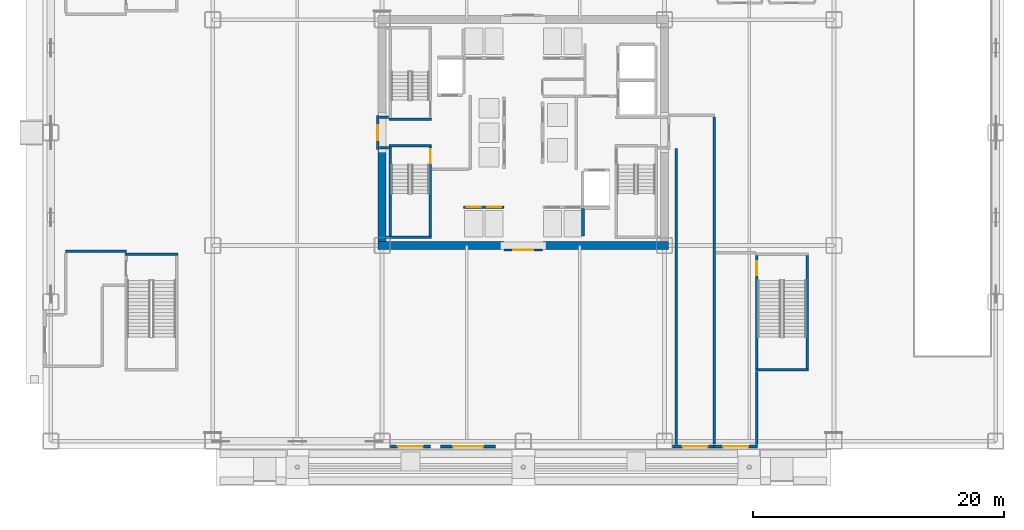
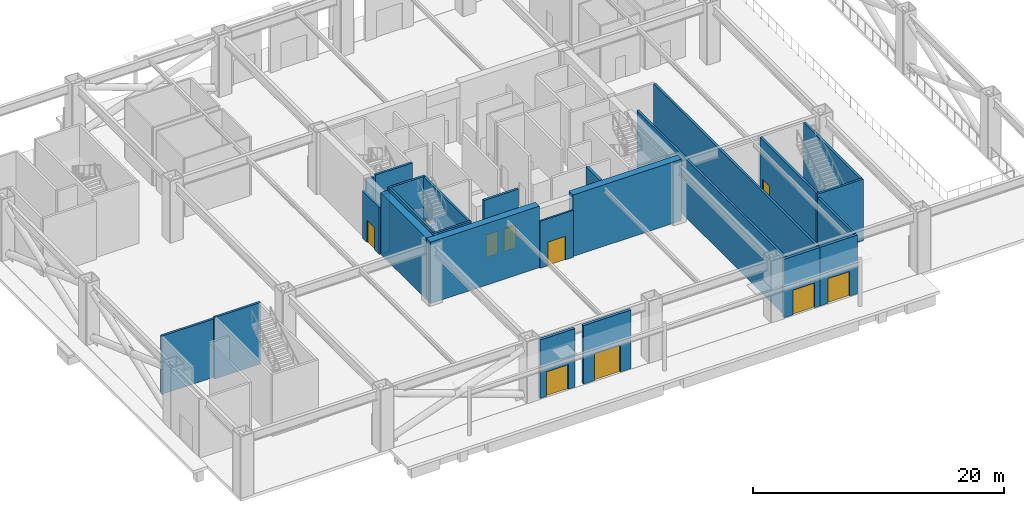
# One storey, part 8 of 17: 26 walls, 10 doors, 10 openings.
"""IFC4 building model written with IfcOpenShell, lengths in metres."""

from ifc_helpers import new_model, si_unit, direction, frame, frame_2d, origin, place, context, subcontext, project, spatial, rectangle, extrude, source, transform, mapped, material, layer, layer_set, type_object, element, fill, save


model = new_model("IFC4")

# Units and contexts
model_context = context("Model", 3, precision=1e-05, world=origin(), true_north=direction((0.0, 1.0)))
body_context = subcontext(model_context, "Body", "Model", "MODEL_VIEW")
ifc_project = project(units=[si_unit("LENGTHUNIT", "METRE"), si_unit("AREAUNIT", "SQUARE_METRE"), si_unit("VOLUMEUNIT", "CUBIC_METRE"), si_unit("PLANEANGLEUNIT", "RADIAN"), si_unit("MASSUNIT", "GRAM", prefix="KILO")], contexts=[model_context])

# Site, building, storey
site_placement = place(None, origin())
site = spatial("IfcSite", under=ifc_project, at=site_placement, CompositionType="ELEMENT")
building_placement = place(site_placement, origin())
building = spatial("IfcBuilding", under=site, at=building_placement, Name="Nefas-Gora Pilgrimage Tower", CompositionType="ELEMENT")
storey_placement = place(building_placement, origin())
storey = spatial("IfcBuildingStorey", under=building, at=storey_placement, Name="L00", CompositionType="ELEMENT", Elevation=0.0)

# Walls
ifc_material_1 = material(Name="Concrete C60/75", Category="concrete")
ifc_layer_1 = layer(ifc_material_1, 0.64990234375)
ifc_layer_set_1 = layer_set([ifc_layer_1], Name="Concrete C60/75")
wall_type_1 = type_object("IfcWallType", Name="SW-CORE-650", PredefinedType="SHEAR", material=ifc_layer_set_1)
shared_shape_1 = source(origin(), body_context, "Body", "SweptSolid", [
    extrude(rectangle(XDim=10.02490234375, YDim=0.64990234375, at=frame_2d((5.012451171875, 0.0))), origin(), (0.0, 0.0, 1.0), 6.0),
])
for number, where, z_axis, x_axis, name in (
    (1, (-11.574951171875, -9.0, 0.0), (0.0, 0.0, 1.0), (1.0, 0.0, 0.0), "L00 Core Shear Wall S-West"),
    (2, (1.550048828125, -9.0, 0.0), (0.0, 0.0, 1.0), (1.0, 0.0, 0.0), "L00 Core Shear Wall S-East"),
):
    element("IfcWall", number, at=place(storey_placement, frame(where, z_axis=z_axis, x_axis=x_axis)), inside=storey, type_object=wall_type_1, Name=name, PredefinedType="SHEAR", context=body_context, shape_type="MappedRepresentation", body=[
        mapped(shared_shape_1, transform((0.0, 0.0, 0.0), x_axis=(1.0, 0.0, 0.0), y_axis=(0.0, 1.0, 0.0), z_axis=(0.0, 0.0, 1.0), scale=1.0)),
    ])
shared_shape_2 = source(origin(), body_context, "Body", "SweptSolid", [
    extrude(rectangle(XDim=7.324951171875, YDim=0.64990234375, at=frame_2d((3.66259765625, 0.0))), origin(), (0.0, 0.0, 1.0), 6.0),
])
wall_1_placement = place(storey_placement, frame((-11.25, -8.675048828125, 0.0), z_axis=(0.0, 0.0, 1.0), x_axis=(0.0, 1.0, 0.0)))
element("IfcWall", 3, at=wall_1_placement, inside=storey, type_object=wall_type_1, Name="L00 Core Shear Wall W-South", PredefinedType="SHEAR", context=body_context, shape_type="MappedRepresentation", body=[
    mapped(shared_shape_2, transform((0.0, 0.0, 0.0), x_axis=(1.0, 0.0, 0.0), y_axis=(0.0, 1.0, 0.0), z_axis=(0.0, 0.0, 1.0), scale=1.0)),
])

# Wall, opening, door
ifc_material_2 = material(Name="Precast concrete C40/50", Category="concrete")
ifc_layer_2 = layer(ifc_material_2, 0.260009765625)
ifc_layer_set_2 = layer_set([ifc_layer_2], Name="Precast concrete C40/50")
wall_type_2 = type_object("IfcWallType", Name="EW-PORTAL-260", PredefinedType="SOLIDWALL", material=ifc_layer_set_2)
shared_shape_3 = source(origin(), body_context, "Body", "SweptSolid", [
    extrude(rectangle(XDim=3.2001953125, YDim=0.260009765625, at=frame_2d((1.60009765625, 0.0))), origin(), (0.0, 0.0, 1.0), 5.699951171875),
])
wall_2_placement = place(storey_placement, frame((-7.39990234375, -25.0, 0.0), z_axis=(0.0, 0.0, 1.0), x_axis=(-1.0, 0.0, 0.0)))
wall_2 = element("IfcWall", 4, at=wall_2_placement, inside=storey, type_object=wall_type_2, Name="L00 Exterior Portal Wall (EX-03)", PredefinedType="SOLIDWALL", context=body_context, shape_type="MappedRepresentation", body=[
    mapped(shared_shape_3, transform((0.0, 0.0, 0.0), x_axis=(1.0, 0.0, 0.0), y_axis=(0.0, 1.0, 0.0), z_axis=(0.0, 0.0, 1.0), scale=1.0)),
])
opening_1_placement = place(wall_2_placement, frame((0.60009765625, 0.0, 0.0)))
opening_1 = element("IfcOpeningElement", 5, at=opening_1_placement, cuts=wall_2, Name="Opening EX-D1", PredefinedType="OPENING", context=body_context, shape_type="SweptSolid", body=[
    extrude(rectangle(XDim=2.0, YDim=2.39990234375, at=frame_2d((1.0, 1.199951171875))), frame((0.0, 0.139892578125, 0.0), z_axis=(0.0, -1.0, 0.0), x_axis=(1.0, 0.0, 0.0)), (0.0, 0.0, 1.0), 0.280029296875),
])
ifc_material_3 = material(Name="Painted galvanised steel fire exit door", Category="steel")
door_type_1 = type_object("IfcDoorType", Name="DR-EXT-EXIT-2000", OperationType="DOUBLE_DOOR_SINGLE_SWING", PredefinedType="DOOR", material=ifc_material_3)
shared_shape_4 = source(origin(), body_context, "Body", "SweptSolid", [
    extrude(rectangle(XDim=2.0, YDim=2.39990234375, at=frame_2d((1.0, 1.199951171875))), frame((0.0, 0.02490234375, 0.0), z_axis=(0.0, -1.0, 0.0), x_axis=(1.0, 0.0, 0.0)), (0.0, 0.0, 1.0), 0.050048828125),
])
door_1_placement = place(opening_1_placement, origin())
door_1 = element("IfcDoor", 6, at=door_1_placement, inside=storey, type_object=door_type_1, Name="L00 Exterior Door EX-03 (South Concourse Plaza (Concourse Exit EX-03))", OperationType="DOUBLE_DOOR_SINGLE_SWING", OverallHeight=2.39990234375, OverallWidth=2.0, PredefinedType="DOOR", context=body_context, shape_type="MappedRepresentation", body=[
    mapped(shared_shape_4, transform((0.0, 0.0, 0.0), x_axis=(1.0, 0.0, 0.0), y_axis=(0.0, 1.0, 0.0), z_axis=(0.0, 0.0, 1.0), scale=1.0)),
])
fill(opening_1, door_1)

shared_shape_5 = source(origin(), body_context, "Body", "SweptSolid", [
    extrude(rectangle(XDim=3.320068359375, YDim=0.260009765625, at=frame_2d((1.66015625, 0.0))), origin(), (0.0, 0.0, 1.0), 5.699951171875),
])
wall_3_placement = place(storey_placement, frame((15.199951171875, -25.0, 0.0), z_axis=(0.0, 0.0, 1.0), x_axis=(-1.0, 0.0, 0.0)))
wall_3 = element("IfcWall", 7, at=wall_3_placement, inside=storey, type_object=wall_type_2, Name="L00 Exterior Portal Wall (EX-02)", PredefinedType="SOLIDWALL", context=body_context, shape_type="MappedRepresentation", body=[
    mapped(shared_shape_5, transform((0.0, 0.0, 0.0), x_axis=(1.0, 0.0, 0.0), y_axis=(0.0, 1.0, 0.0), z_axis=(0.0, 0.0, 1.0), scale=1.0)),
])
opening_2_placement = place(wall_3_placement, frame((0.510009765625, 0.0, 0.0)))
opening_2 = element("IfcOpeningElement", 8, at=opening_2_placement, cuts=wall_3, Name="Opening EX-D1", PredefinedType="OPENING", context=body_context, shape_type="SweptSolid", body=[
    extrude(rectangle(XDim=2.0, YDim=2.39990234375, at=frame_2d((1.0, 1.199951171875))), frame((0.0, 0.139892578125, 0.0), z_axis=(0.0, -1.0, 0.0), x_axis=(1.0, 0.0, 0.0)), (0.0, 0.0, 1.0), 0.280029296875),
])
door_2_placement = place(opening_2_placement, origin())
door_2 = element("IfcDoor", 9, at=door_2_placement, inside=storey, type_object=door_type_1, Name="L00 Exterior Door EX-02 (South Concourse Plaza (ST-02 Protected Exit Passage))", OperationType="DOUBLE_DOOR_SINGLE_SWING", OverallHeight=2.39990234375, OverallWidth=2.0, PredefinedType="DOOR", context=body_context, shape_type="MappedRepresentation", body=[
    mapped(shared_shape_4, transform((0.0, 0.0, 0.0), x_axis=(1.0, 0.0, 0.0), y_axis=(0.0, 1.0, 0.0), z_axis=(0.0, 0.0, 1.0), scale=1.0)),
])
fill(opening_2, door_2)

shared_shape_6 = source(origin(), body_context, "Body", "SweptSolid", [
    extrude(rectangle(XDim=3.449951171875, YDim=0.260009765625, at=frame_2d((1.72509765625, 0.0))), origin(), (0.0, 0.0, 1.0), 5.699951171875),
])
wall_4_placement = place(storey_placement, frame((18.64990234375, -25.0, 0.0), z_axis=(0.0, 0.0, 1.0), x_axis=(-1.0, 0.0, 0.0)))
wall_4 = element("IfcWall", 10, at=wall_4_placement, inside=storey, type_object=wall_type_2, Name="L00 Exterior Portal Wall (EX-06)", PredefinedType="SOLIDWALL", context=body_context, shape_type="MappedRepresentation", body=[
    mapped(shared_shape_6, transform((0.0, 0.0, 0.0), x_axis=(1.0, 0.0, 0.0), y_axis=(0.0, 1.0, 0.0), z_axis=(0.0, 0.0, 1.0), scale=1.0)),
])
opening_3_placement = place(wall_4_placement, frame((0.719970703125, 0.0, 0.0)))
opening_3 = element("IfcOpeningElement", 11, at=opening_3_placement, cuts=wall_4, Name="Opening EX-D1", PredefinedType="OPENING", context=body_context, shape_type="SweptSolid", body=[
    extrude(rectangle(XDim=2.0, YDim=2.39990234375, at=frame_2d((1.0, 1.199951171875))), frame((0.0, 0.139892578125, 0.0), z_axis=(0.0, -1.0, 0.0), x_axis=(1.0, 0.0, 0.0)), (0.0, 0.0, 1.0), 0.280029296875),
])
door_3_placement = place(opening_3_placement, origin())
door_3 = element("IfcDoor", 12, at=door_3_placement, inside=storey, type_object=door_type_1, Name="L00 Exterior Door EX-06 (South Concourse Plaza (ST-06 Protected Exit Passage))", OperationType="DOUBLE_DOOR_SINGLE_SWING", OverallHeight=2.39990234375, OverallWidth=2.0, PredefinedType="DOOR", context=body_context, shape_type="MappedRepresentation", body=[
    mapped(shared_shape_4, transform((0.0, 0.0, 0.0), x_axis=(1.0, 0.0, 0.0), y_axis=(0.0, 1.0, 0.0), z_axis=(0.0, 0.0, 1.0), scale=1.0)),
])
fill(opening_3, door_3)

shared_shape_7 = source(origin(), body_context, "Body", "SweptSolid", [
    extrude(rectangle(XDim=4.400146484375, YDim=0.260009765625, at=frame_2d((2.2001953125, 0.0))), origin(), (0.0, 0.0, 1.0), 5.699951171875),
])
wall_5_placement = place(storey_placement, frame((-2.199951171875, -25.0, 0.0), z_axis=(0.0, 0.0, 1.0), x_axis=(-1.0, 0.0, 0.0)))
wall_5 = element("IfcWall", 13, at=wall_5_placement, inside=storey, type_object=wall_type_2, Name="L00 Exterior Portal Wall (ED-M1)", PredefinedType="SOLIDWALL", context=body_context, shape_type="MappedRepresentation", body=[
    mapped(shared_shape_7, transform((0.0, 0.0, 0.0), x_axis=(1.0, 0.0, 0.0), y_axis=(0.0, 1.0, 0.0), z_axis=(0.0, 0.0, 1.0), scale=1.0)),
])
opening_4_placement = place(wall_5_placement, frame((1.0, 0.0, 0.0)))
opening_4 = element("IfcOpeningElement", 14, at=opening_4_placement, cuts=wall_5, Name="Opening ED-M1", PredefinedType="OPENING", context=body_context, shape_type="SweptSolid", body=[
    extrude(rectangle(XDim=2.39990234375, YDim=2.60009765625, at=frame_2d((1.199951171875, 1.300048828125))), frame((0.0, 0.139892578125, 0.0), z_axis=(0.0, -1.0, 0.0), x_axis=(1.0, 0.0, 0.0)), (0.0, 0.0, 1.0), 0.280029296875),
])
ifc_material_4 = material(Name="Thermally broken bronze-anodised aluminium and glass", Category="aluminium")
door_type_2 = type_object("IfcDoorType", Name="DR-EXT-MAIN-2400", OperationType="DOUBLE_DOOR_SINGLE_SWING", PredefinedType="DOOR", material=ifc_material_4)
shared_shape_8 = source(origin(), body_context, "Body", "SweptSolid", [
    extrude(rectangle(XDim=2.39990234375, YDim=2.60009765625, at=frame_2d((1.199951171875, 1.300048828125))), frame((0.0, 0.02490234375, 0.0), z_axis=(0.0, -1.0, 0.0), x_axis=(1.0, 0.0, 0.0)), (0.0, 0.0, 1.0), 0.050048828125),
])
door_4_placement = place(opening_4_placement, origin())
door_4 = element("IfcDoor", 15, at=door_4_placement, inside=storey, type_object=door_type_2, Name="L00 Exterior Door ED-M1 (South Concourse Plaza Entrance)", OperationType="DOUBLE_DOOR_SINGLE_SWING", OverallHeight=2.60009765625, OverallWidth=2.39990234375, PredefinedType="DOOR", context=body_context, shape_type="MappedRepresentation", body=[
    mapped(shared_shape_8, transform((0.0, 0.0, 0.0), x_axis=(1.0, 0.0, 0.0), y_axis=(0.0, 1.0, 0.0), z_axis=(0.0, 0.0, 1.0), scale=1.0)),
])
fill(opening_4, door_4)

# Walls
ifc_material_5 = material(Name="Concrete C45/55", Category="concrete")
ifc_layer_3 = layer(ifc_material_5, 0.199951171875)
ifc_layer_set_3 = layer_set([ifc_layer_3], Name="Concrete C45/55")
wall_type_3 = type_object("IfcWallType", Name="IW-STAIR-200", PredefinedType="SOLIDWALL", material=ifc_layer_set_3)
shared_shape_9 = source(origin(), body_context, "Body", "SweptSolid", [
    extrude(rectangle(XDim=3.39990234375, YDim=0.199951171875, at=frame_2d((1.699951171875, 0.0))), origin(), (0.0, 0.0, 1.0), 6.0),
])
for number, where, z_axis, x_axis, name in (
    (16, (-7.300048828125, 1.050048828125, 0.0), (0.0, 0.0, 1.0), (-1.0, 0.0, 0.0), "L00 Stairwell Shear Wall ST-01-near"),
    (17, (-10.699951171875, -1.050048828125, 0.0), (0.0, 0.0, 1.0), (1.0, 0.0, 0.0), "L00 Stairwell Shear Wall ST-03-near"),
):
    element("IfcWall", number, at=place(storey_placement, frame(where, z_axis=z_axis, x_axis=x_axis)), inside=storey, type_object=wall_type_3, Name=name, PredefinedType="SOLIDWALL", context=body_context, shape_type="MappedRepresentation", body=[
        mapped(shared_shape_9, transform((0.0, 0.0, 0.0), x_axis=(1.0, 0.0, 0.0), y_axis=(0.0, 1.0, 0.0), z_axis=(0.0, 0.0, 1.0), scale=1.0)),
    ])
shared_shape_10 = source(origin(), body_context, "Body", "SweptSolid", [
    extrude(rectangle(XDim=3.6298828125, YDim=0.199951171875, at=frame_2d((1.81494140625, 0.0))), origin(), (0.0, 0.0, 1.0), 6.0),
])
wall_6_placement = place(storey_placement, frame((-10.929931640625, -8.35009765625, 0.0), z_axis=(0.0, 0.0, 1.0), x_axis=(1.0, 0.0, 0.0)))
element("IfcWall", 18, at=wall_6_placement, inside=storey, type_object=wall_type_3, Name="L00 Stairwell Shear Wall ST-03-far", PredefinedType="SOLIDWALL", context=body_context, shape_type="MappedRepresentation", body=[
    mapped(shared_shape_10, transform((0.0, 0.0, 0.0), x_axis=(1.0, 0.0, 0.0), y_axis=(0.0, 1.0, 0.0), z_axis=(0.0, 0.0, 1.0), scale=1.0)),
])
shared_shape_11 = source(origin(), body_context, "Body", "SweptSolid", [
    extrude(rectangle(XDim=7.10009765625, YDim=0.199951171875, at=frame_2d((3.550048828125, 0.0))), origin(), (0.0, 0.0, 1.0), 6.0),
])
wall_7_placement = place(storey_placement, frame((-10.60009765625, -1.14990234375, 0.0), z_axis=(0.0, 0.0, 1.0), x_axis=(0.0, -1.0, 0.0)))
element("IfcWall", 19, at=wall_7_placement, inside=storey, type_object=wall_type_3, Name="L00 Stairwell Shear Wall ST-03-left", PredefinedType="SOLIDWALL", context=body_context, shape_type="MappedRepresentation", body=[
    mapped(shared_shape_11, transform((0.0, 0.0, 0.0), x_axis=(1.0, 0.0, 0.0), y_axis=(0.0, 1.0, 0.0), z_axis=(0.0, 0.0, 1.0), scale=1.0)),
])

# Wall, opening, door
wall_8_placement = place(storey_placement, frame((-7.39990234375, -1.14990234375, 0.0), z_axis=(0.0, 0.0, 1.0), x_axis=(0.0, -1.0, 0.0)))
wall_8 = element("IfcWall", 20, at=wall_8_placement, inside=storey, type_object=wall_type_3, Name="L00 Stairwell Shear Wall ST-03-right", PredefinedType="SOLIDWALL", context=body_context, shape_type="MappedRepresentation", body=[
    mapped(shared_shape_11, transform((0.0, 0.0, 0.0), x_axis=(1.0, 0.0, 0.0), y_axis=(0.0, 1.0, 0.0), z_axis=(0.0, 0.0, 1.0), scale=1.0)),
])
opening_5_placement = place(wall_8_placement, frame((0.179931640625, 0.0, 0.0)))
opening_5 = element("IfcOpeningElement", 21, at=opening_5_placement, cuts=wall_8, Name="Opening ID-ST1", PredefinedType="OPENING", context=body_context, shape_type="SweptSolid", body=[
    extrude(rectangle(XDim=1.10009765625, YDim=2.14990234375, at=frame_2d((0.550048828125, 1.074951171875))), frame((0.0, 0.10986328125, 0.0), z_axis=(0.0, -1.0, 0.0), x_axis=(1.0, 0.0, 0.0)), (0.0, 0.0, 1.0), 0.219970703125),
])
ifc_material_6 = material(Name="Painted galvanised steel fire stair door", Category="steel")
door_type_3 = type_object("IfcDoorType", Name="DR-INT-STAIR-1100", OperationType="NOTDEFINED", PredefinedType="DOOR", material=ifc_material_6)
shared_shape_12 = source(origin(), body_context, "Body", "SweptSolid", [
    extrude(rectangle(XDim=1.10009765625, YDim=2.14990234375, at=frame_2d((0.550048828125, 1.074951171875))), frame((0.0, 0.02490234375, 0.0), z_axis=(0.0, -1.0, 0.0), x_axis=(1.0, 0.0, 0.0)), (0.0, 0.0, 1.0), 0.050048828125),
])
door_5_placement = place(opening_5_placement, origin())
door_5 = element("IfcDoor", 22, at=door_5_placement, inside=storey, type_object=door_type_3, Name="L00 Protected Exit Stair Door ST-03", OperationType="SINGLE_SWING_RIGHT", OverallHeight=2.14990234375, OverallWidth=1.10009765625, PredefinedType="DOOR", context=body_context, shape_type="MappedRepresentation", body=[
    mapped(shared_shape_12, transform((0.0, 0.0, 0.0), x_axis=(1.0, 0.0, 0.0), y_axis=(0.0, 1.0, 0.0), z_axis=(0.0, 0.0, 1.0), scale=1.0)),
])
fill(opening_5, door_5)

# Walls
shared_shape_13 = source(origin(), body_context, "Body", "SweptSolid", [
    extrude(rectangle(XDim=4.239990234375, YDim=0.199951171875, at=frame_2d((2.1201171875, 0.0))), origin(), (0.0, 0.0, 1.0), 6.0),
])
for number, where, z_axis, x_axis, name in (
    (23, (-31.739990234375, -9.699951171875, 0.0), (0.0, 0.0, 1.0), (1.0, 0.0, 0.0), "L00 Stairwell Shear Wall ST-05-near"),
    (24, (18.5, -18.89990234375, 0.0), (0.0, 0.0, 1.0), (1.0, 0.0, 0.0), "L00 Stairwell Shear Wall ST-06-far"),
):
    element("IfcWall", number, at=place(storey_placement, frame(where, z_axis=z_axis, x_axis=x_axis)), inside=storey, type_object=wall_type_3, Name=name, PredefinedType="SOLIDWALL", context=body_context, shape_type="MappedRepresentation", body=[
        mapped(shared_shape_13, transform((0.0, 0.0, 0.0), x_axis=(1.0, 0.0, 0.0), y_axis=(0.0, 1.0, 0.0), z_axis=(0.0, 0.0, 1.0), scale=1.0)),
    ])

# Wall, opening, door
shared_shape_14 = source(origin(), body_context, "Body", "SweptSolid", [
    extrude(rectangle(XDim=9.0, YDim=0.199951171875, at=frame_2d((4.5, 0.0))), origin(), (0.0, 0.0, 1.0), 6.0),
])
wall_9_placement = place(storey_placement, frame((18.60009765625, -9.800048828125, 0.0), z_axis=(0.0, 0.0, 1.0), x_axis=(0.0, -1.0, 0.0)))
wall_9 = element("IfcWall", 25, at=wall_9_placement, inside=storey, type_object=wall_type_3, Name="L00 Stairwell Shear Wall ST-06-left", PredefinedType="SOLIDWALL", context=body_context, shape_type="MappedRepresentation", body=[
    mapped(shared_shape_14, transform((0.0, 0.0, 0.0), x_axis=(1.0, 0.0, 0.0), y_axis=(0.0, 1.0, 0.0), z_axis=(0.0, 0.0, 1.0), scale=1.0)),
])
opening_6_placement = place(wall_9_placement, frame((0.449951171875, 0.0, 0.0)))
opening_6 = element("IfcOpeningElement", 26, at=opening_6_placement, cuts=wall_9, Name="Opening ID-ST1", PredefinedType="OPENING", context=body_context, shape_type="SweptSolid", body=[
    extrude(rectangle(XDim=1.10009765625, YDim=2.14990234375, at=frame_2d((0.550048828125, 1.074951171875))), frame((0.0, 0.10986328125, 0.0), z_axis=(0.0, -1.0, 0.0), x_axis=(1.0, 0.0, 0.0)), (0.0, 0.0, 1.0), 0.219970703125),
])
door_6_placement = place(opening_6_placement, frame((1.10009765625, 0.0, 0.0), z_axis=(0.0, 0.0, 1.0), x_axis=(-1.0, 0.0, 0.0)))
door_6 = element("IfcDoor", 27, at=door_6_placement, inside=storey, type_object=door_type_3, Name="L00 Protected Exit Stair Door ST-06", OperationType="SINGLE_SWING_RIGHT", OverallHeight=2.14990234375, OverallWidth=1.10009765625, PredefinedType="DOOR", context=body_context, shape_type="MappedRepresentation", body=[
    mapped(shared_shape_12, transform((0.0, 0.0, 0.0), x_axis=(1.0, 0.0, 0.0), y_axis=(0.0, 1.0, 0.0), z_axis=(0.0, 0.0, 1.0), scale=1.0)),
])
fill(opening_6, door_6)

# Wall
wall_10_placement = place(storey_placement, frame((22.639892578125, -9.800048828125, 0.0), z_axis=(0.0, 0.0, 1.0), x_axis=(0.0, -1.0, 0.0)))
element("IfcWall", 28, at=wall_10_placement, inside=storey, type_object=wall_type_3, Name="L00 Stairwell Shear Wall ST-06-right", PredefinedType="SOLIDWALL", context=body_context, shape_type="MappedRepresentation", body=[
    mapped(shared_shape_14, transform((0.0, 0.0, 0.0), x_axis=(1.0, 0.0, 0.0), y_axis=(0.0, 1.0, 0.0), z_axis=(0.0, 0.0, 1.0), scale=1.0)),
])

# Wall, openings, doors
ifc_material_7 = material(Name="Concrete C40/50", Category="concrete")
ifc_layer_4 = layer(ifc_material_7, 0.219970703125)
ifc_layer_set_4 = layer_set([ifc_layer_4], Name="Concrete C40/50")
wall_type_4 = type_object("IfcWallType", Name="IW-SHAFT-220", PredefinedType="SOLIDWALL", material=ifc_layer_set_4)
shared_shape_15 = source(origin(), body_context, "Body", "SweptSolid", [
    extrude(rectangle(XDim=3.199951171875, YDim=0.219970703125, at=frame_2d((1.60009765625, 0.0))), origin(), (0.0, 0.0, 1.0), 5.68505859375),
])
wall_11_placement = place(storey_placement, frame((-1.550048828125, -5.93994140625, 0.0), z_axis=(0.0, 0.0, 1.0), x_axis=(-1.0, 0.0, 0.0)))
wall_11 = element("IfcWall", 29, at=wall_11_placement, inside=storey, type_object=wall_type_4, Name="L00 Hoistway Wall PL2-W-N", PredefinedType="SOLIDWALL", context=body_context, shape_type="MappedRepresentation", body=[
    mapped(shared_shape_15, transform((0.0, 0.0, 0.0), x_axis=(1.0, 0.0, 0.0), y_axis=(0.0, 1.0, 0.0), z_axis=(0.0, 0.0, 1.0), scale=1.0)),
])
opening_7_placement = place(wall_11_placement, frame((1.85009765625, 0.0, 0.0)))
opening_7 = element("IfcOpeningElement", 30, at=opening_7_placement, cuts=wall_11, Name="Opening LD-01", PredefinedType="OPENING", context=body_context, shape_type="SweptSolid", body=[
    extrude(rectangle(XDim=1.10009765625, YDim=2.199951171875, at=frame_2d((0.550048828125, 1.10009765625))), frame((0.0, 0.119873046875, 0.0), z_axis=(0.0, -1.0, 0.0), x_axis=(1.0, 0.0, 0.0)), (0.0, 0.0, 1.0), 0.239990234375),
])
opening_8_placement = place(wall_11_placement, frame((0.22509765625, 0.0, 0.0)))
opening_8 = element("IfcOpeningElement", 31, at=opening_8_placement, cuts=wall_11, Name="Opening LD-01", PredefinedType="OPENING", context=body_context, shape_type="SweptSolid", body=[
    extrude(rectangle(XDim=1.10009765625, YDim=2.199951171875, at=frame_2d((0.550048828125, 1.10009765625))), frame((0.0, 0.119873046875, 0.0), z_axis=(0.0, -1.0, 0.0), x_axis=(1.0, 0.0, 0.0)), (0.0, 0.0, 1.0), 0.239990234375),
])
ifc_material_8 = material(Name="Brushed stainless sliding lift landing door")
door_type_4 = type_object("IfcDoorType", Name="DR-LIFT-PASS-1100", OperationType="DOUBLE_DOOR_SLIDING", PredefinedType="DOOR", material=ifc_material_8)
shared_shape_16 = source(origin(), body_context, "Body", "SweptSolid", [
    extrude(rectangle(XDim=1.10009765625, YDim=2.199951171875, at=frame_2d((0.550048828125, 1.10009765625))), frame((0.0, 0.02490234375, 0.0), z_axis=(0.0, -1.0, 0.0), x_axis=(1.0, 0.0, 0.0)), (0.0, 0.0, 1.0), 0.050048828125),
])
door_7_placement = place(opening_7_placement, origin())
door_7 = element("IfcDoor", 32, at=door_7_placement, inside=storey, type_object=door_type_4, Name="L00 Sliding Lift Landing Door PL2-01", OperationType="DOUBLE_DOOR_SLIDING", OverallHeight=2.199951171875, OverallWidth=1.10009765625, PredefinedType="DOOR", context=body_context, shape_type="MappedRepresentation", body=[
    mapped(shared_shape_16, transform((0.0, 0.0, 0.0), x_axis=(1.0, 0.0, 0.0), y_axis=(0.0, 1.0, 0.0), z_axis=(0.0, 0.0, 1.0), scale=1.0)),
])
fill(opening_7, door_7)
door_8_placement = place(opening_8_placement, origin())
door_8 = element("IfcDoor", 33, at=door_8_placement, inside=storey, type_object=door_type_4, Name="L00 Sliding Lift Landing Door PL2-02", OperationType="DOUBLE_DOOR_SLIDING", OverallHeight=2.199951171875, OverallWidth=1.10009765625, PredefinedType="DOOR", context=body_context, shape_type="MappedRepresentation", body=[
    mapped(shared_shape_16, transform((0.0, 0.0, 0.0), x_axis=(1.0, 0.0, 0.0), y_axis=(0.0, 1.0, 0.0), z_axis=(0.0, 0.0, 1.0), scale=1.0)),
])
fill(opening_8, door_8)

# Wall
shared_shape_17 = source(origin(), body_context, "Body", "SweptSolid", [
    extrude(rectangle(XDim=2.199951171875, YDim=0.219970703125, at=frame_2d((1.10009765625, 0.0))), origin(), (0.0, 0.0, 1.0), 5.68505859375),
])
wall_12_placement = place(storey_placement, frame((4.764892578125, -8.25, 0.0), z_axis=(0.0, 0.0, 1.0), x_axis=(0.0, 1.0, 0.0)))
element("IfcWall", 34, at=wall_12_placement, inside=storey, type_object=wall_type_4, Name="L00 Riser Shaft Wall 3", PredefinedType="SOLIDWALL", context=body_context, shape_type="MappedRepresentation", body=[
    mapped(shared_shape_17, transform((0.0, 0.0, 0.0), x_axis=(1.0, 0.0, 0.0), y_axis=(0.0, 1.0, 0.0), z_axis=(0.0, 0.0, 1.0), scale=1.0)),
])

# Wall, opening, door
ifc_material_9 = material(Name="Gypsum fire-rated shaftwall")
ifc_layer_5 = layer(ifc_material_9, 0.199951171875)
ifc_layer_set_5 = layer_set([ifc_layer_5], Name="Gypsum fire-rated shaftwall")
wall_type_5 = type_object("IfcWallType", Name="IW-FFLOB-200", PredefinedType="PARTITIONING", material=ifc_layer_set_5)
shared_shape_18 = source(origin(), body_context, "Body", "SweptSolid", [
    extrude(rectangle(XDim=2.7001953125, YDim=0.199951171875, at=frame_2d((1.35009765625, 0.0))), origin(), (0.0, 0.0, 1.0), 4.574951171875),
])
wall_13_placement = place(storey_placement, frame((-11.60009765625, -1.35009765625, 0.0), z_axis=(0.0, 0.0, 1.0), x_axis=(0.0, 1.0, 0.0)))
wall_13 = element("IfcWall", 35, at=wall_13_placement, inside=storey, type_object=wall_type_5, Name="L00 FF Lobby West Portal Wall 5", PredefinedType="PARTITIONING", context=body_context, shape_type="MappedRepresentation", body=[
    mapped(shared_shape_18, transform((0.0, 0.0, 0.0), x_axis=(1.0, 0.0, 0.0), y_axis=(0.0, 1.0, 0.0), z_axis=(0.0, 0.0, 1.0), scale=1.0)),
])
opening_9_placement = place(wall_13_placement, frame((0.75, 0.0, 0.0)))
opening_9 = element("IfcOpeningElement", 36, at=opening_9_placement, cuts=wall_13, Name="Opening ID-FF1", PredefinedType="OPENING", context=body_context, shape_type="SweptSolid", body=[
    extrude(rectangle(XDim=1.199951171875, YDim=2.14990234375, at=frame_2d((0.60009765625, 1.074951171875))), frame((0.0, 0.10986328125, 0.0), z_axis=(0.0, -1.0, 0.0), x_axis=(1.0, 0.0, 0.0)), (0.0, 0.0, 1.0), 0.219970703125),
])
ifc_material_10 = material(Name="Smoke-sealed steel firefighting lobby door", Category="steel")
door_type_5 = type_object("IfcDoorType", Name="DR-INT-FFLOB-1200", OperationType="NOTDEFINED", PredefinedType="DOOR", material=ifc_material_10)
shared_shape_19 = source(origin(), body_context, "Body", "SweptSolid", [
    extrude(rectangle(XDim=1.199951171875, YDim=2.14990234375, at=frame_2d((0.60009765625, 1.074951171875))), frame((0.0, 0.02490234375, 0.0), z_axis=(0.0, -1.0, 0.0), x_axis=(1.0, 0.0, 0.0)), (0.0, 0.0, 1.0), 0.050048828125),
])
door_9_placement = place(opening_9_placement, origin())
door_9 = element("IfcDoor", 37, at=door_9_placement, inside=storey, type_object=door_type_5, Name="L00 FF Lobby West Portal Door 1", OperationType="SINGLE_SWING_RIGHT", OverallHeight=2.14990234375, OverallWidth=1.199951171875, PredefinedType="DOOR", context=body_context, shape_type="MappedRepresentation", body=[
    mapped(shared_shape_19, transform((0.0, 0.0, 0.0), x_axis=(1.0, 0.0, 0.0), y_axis=(0.0, 1.0, 0.0), z_axis=(0.0, 0.0, 1.0), scale=1.0)),
])
fill(opening_9, door_9)

# Walls
shared_shape_20 = source(origin(), body_context, "Body", "SweptSolid", [
    extrude(rectangle(XDim=0.719970703125, YDim=0.199951171875, at=frame_2d((0.35986328125, 0.0))), origin(), (0.0, 0.0, 1.0), 5.68505859375),
])
for number, where, z_axis, x_axis, name in (
    (38, (-11.4599609375, 1.219970703125, 0.0), (0.0, 0.0, 1.0), (1.0, 0.0, 0.0), "L00 FF Lobby West Throat N Wall 8"),
    (39, (-11.4599609375, -1.219970703125, 0.0), (0.0, 0.0, 1.0), (1.0, 0.0, 0.0), "L00 FF Lobby West Throat S Wall 9"),
):
    element("IfcWall", number, at=place(storey_placement, frame(where, z_axis=z_axis, x_axis=x_axis)), inside=storey, type_object=wall_type_5, Name=name, PredefinedType="PARTITIONING", context=body_context, shape_type="MappedRepresentation", body=[
        mapped(shared_shape_20, transform((0.0, 0.0, 0.0), x_axis=(1.0, 0.0, 0.0), y_axis=(0.0, 1.0, 0.0), z_axis=(0.0, 0.0, 1.0), scale=1.0)),
    ])

# Wall, opening, door
ifc_material_11 = material(Name="Gypsum acoustic stud partition")
ifc_layer_6 = layer(ifc_material_11, 0.159912109375)
ifc_layer_set_6 = layer_set([ifc_layer_6], Name="Gypsum acoustic stud partition")
wall_type_6 = type_object("IfcWallType", Name="IW-CORR-160", PredefinedType="PARTITIONING", material=ifc_layer_set_6)
shared_shape_21 = source(origin(), body_context, "Body", "SweptSolid", [
    extrude(rectangle(XDim=3.08984375, YDim=0.159912109375, at=frame_2d((1.544921875, 0.0))), origin(), (0.0, 0.0, 1.0), 4.574951171875),
])
wall_14_placement = place(storey_placement, frame((-1.544921875, -9.35009765625, 0.0), z_axis=(0.0, 0.0, 1.0), x_axis=(1.0, 0.0, 0.0)))
wall_14 = element("IfcWall", 40, at=wall_14_placement, inside=storey, type_object=wall_type_6, Name="L00 Central Lift Lobby South Portal Wall 17", PredefinedType="PARTITIONING", context=body_context, shape_type="MappedRepresentation", body=[
    mapped(shared_shape_21, transform((0.0, 0.0, 0.0), x_axis=(1.0, 0.0, 0.0), y_axis=(0.0, 1.0, 0.0), z_axis=(0.0, 0.0, 1.0), scale=1.0)),
])
opening_10_placement = place(wall_14_placement, frame((0.7451171875, 0.0, 0.0)))
opening_10 = element("IfcOpeningElement", 41, at=opening_10_placement, cuts=wall_14, Name="Opening ID-HL1", PredefinedType="OPENING", context=body_context, shape_type="SweptSolid", body=[
    extrude(rectangle(XDim=1.60009765625, YDim=2.300048828125, at=frame_2d((0.800048828125, 1.14990234375))), frame((0.0, 0.08984375, 0.0), z_axis=(0.0, -1.0, 0.0), x_axis=(1.0, 0.0, 0.0)), (0.0, 0.0, 1.0), 0.179931640625),
])
ifc_material_12 = material(Name="Double acoustic timber assembly hall door", Category="wood")
door_type_6 = type_object("IfcDoorType", Name="DR-INT-HALL-1600", OperationType="DOUBLE_DOOR_SINGLE_SWING", PredefinedType="DOOR", material=ifc_material_12)
shared_shape_22 = source(origin(), body_context, "Body", "SweptSolid", [
    extrude(rectangle(XDim=1.60009765625, YDim=2.300048828125, at=frame_2d((0.800048828125, 1.14990234375))), frame((0.0, 0.02490234375, 0.0), z_axis=(0.0, -1.0, 0.0), x_axis=(1.0, 0.0, 0.0)), (0.0, 0.0, 1.0), 0.050048828125),
])
door_10_placement = place(opening_10_placement, origin())
door_10 = element("IfcDoor", 42, at=door_10_placement, inside=storey, type_object=door_type_6, Name="L00 Central Lift Lobby South Portal Door 5", OperationType="DOUBLE_DOOR_SINGLE_SWING", OverallHeight=2.300048828125, OverallWidth=1.60009765625, PredefinedType="DOOR", context=body_context, shape_type="MappedRepresentation", body=[
    mapped(shared_shape_22, transform((0.0, 0.0, 0.0), x_axis=(1.0, 0.0, 0.0), y_axis=(0.0, 1.0, 0.0), z_axis=(0.0, 0.0, 1.0), scale=1.0)),
])
fill(opening_10, door_10)

# Walls
shared_shape_23 = source(origin(), body_context, "Body", "SweptSolid", [
    extrude(rectangle(XDim=23.550048828125, YDim=0.199951171875, at=frame_2d((11.77490234375, 0.0))), origin(), (0.0, 0.0, 1.0), 5.68505859375),
])
wall_15_placement = place(storey_placement, frame((12.179931640625, -24.830078125, 0.0), z_axis=(0.0, 0.0, 1.0), x_axis=(0.0, 1.0, 0.0)))
element("IfcWall", 43, at=wall_15_placement, inside=storey, type_object=wall_type_5, Name="L00 Protected Exit Passage EXP2 West Wall Wall 19", PredefinedType="PARTITIONING", context=body_context, shape_type="MappedRepresentation", body=[
    mapped(shared_shape_23, transform((0.0, 0.0, 0.0), x_axis=(1.0, 0.0, 0.0), y_axis=(0.0, 1.0, 0.0), z_axis=(0.0, 0.0, 1.0), scale=1.0)),
])
shared_shape_24 = source(origin(), body_context, "Body", "SweptSolid", [
    extrude(rectangle(XDim=26.070068359375, YDim=0.199951171875, at=frame_2d((13.03515625, 0.0))), origin(), (0.0, 0.0, 1.0), 5.68505859375),
])
wall_16_placement = place(storey_placement, frame((15.199951171875, -24.830078125, 0.0), z_axis=(0.0, 0.0, 1.0), x_axis=(0.0, 1.0, 0.0)))
element("IfcWall", 44, at=wall_16_placement, inside=storey, type_object=wall_type_5, Name="L00 Protected Exit Passage EXP2 East Wall Wall 21", PredefinedType="PARTITIONING", context=body_context, shape_type="MappedRepresentation", body=[
    mapped(shared_shape_24, transform((0.0, 0.0, 0.0), x_axis=(1.0, 0.0, 0.0), y_axis=(0.0, 1.0, 0.0), z_axis=(0.0, 0.0, 1.0), scale=1.0)),
])
shared_shape_25 = source(origin(), body_context, "Body", "SweptSolid", [
    extrude(rectangle(XDim=4.85986328125, YDim=0.199951171875, at=frame_2d((2.429931640625, 0.0))), origin(), (0.0, 0.0, 1.0), 5.68505859375),
])
wall_17_placement = place(storey_placement, frame((-36.4599609375, -9.43994140625, 0.0), z_axis=(0.0, 0.0, 1.0), x_axis=(1.0, 0.0, 0.0)))
element("IfcWall", 45, at=wall_17_placement, inside=storey, type_object=wall_type_5, Name="L00 Protected Exit Passage EXP5 North Wall Wall 28", PredefinedType="PARTITIONING", context=body_context, shape_type="MappedRepresentation", body=[
    mapped(shared_shape_25, transform((0.0, 0.0, 0.0), x_axis=(1.0, 0.0, 0.0), y_axis=(0.0, 1.0, 0.0), z_axis=(0.0, 0.0, 1.0), scale=1.0)),
])
shared_shape_26 = source(origin(), body_context, "Body", "SweptSolid", [
    extrude(rectangle(XDim=5.7900390625, YDim=0.199951171875, at=frame_2d((2.89501953125, 0.0))), origin(), (0.0, 0.0, 1.0), 5.68505859375),
])
wall_18_placement = place(storey_placement, frame((18.60009765625, -24.830078125, 0.0), z_axis=(0.0, 0.0, 1.0), x_axis=(0.0, 1.0, 0.0)))
element("IfcWall", 46, at=wall_18_placement, inside=storey, type_object=wall_type_5, Name="L00 Protected Exit Passage EXP6 East Wall Wall 35", PredefinedType="PARTITIONING", context=body_context, shape_type="MappedRepresentation", body=[
    mapped(shared_shape_26, transform((0.0, 0.0, 0.0), x_axis=(1.0, 0.0, 0.0), y_axis=(0.0, 1.0, 0.0), z_axis=(0.0, 0.0, 1.0), scale=1.0)),
])

save(model, "model.ifc")
